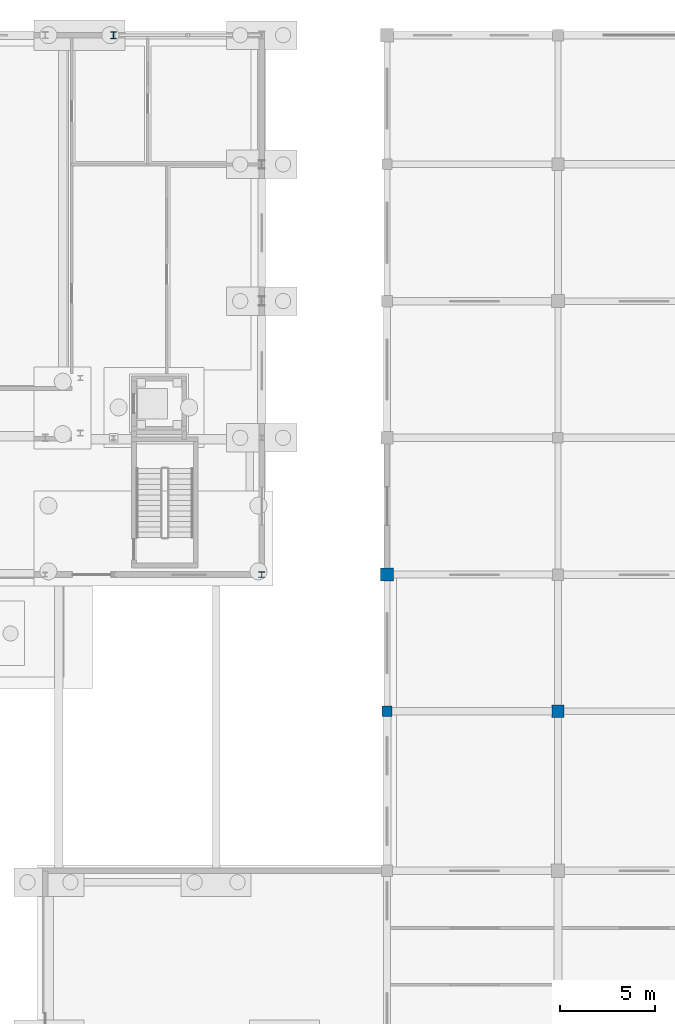
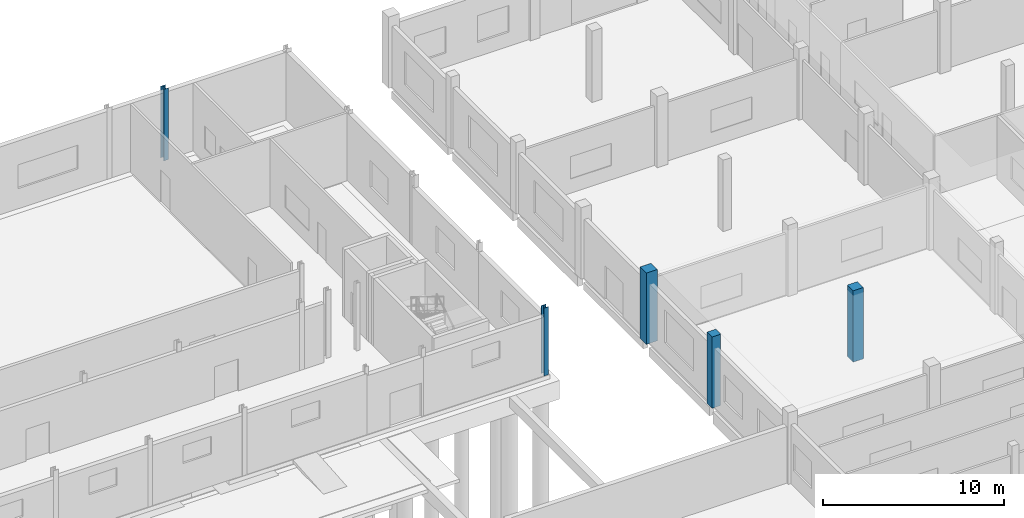
# One storey, part 20 of 91: 5 columns.
"""IFC4 building model written with IfcOpenShell, lengths in metres."""

from ifc_helpers import new_model, si_unit, direction, frame, origin, origin_2d, place, context, subcontext, project, spatial, rectangle, i_section, extrude, material, material_profile, profile_set, type_object, element, save


model = new_model("IFC4")

# Units and contexts
model_context = context("Model", 3, precision=1e-05, world=origin(), true_north=direction((0.0, 1.0)))
body_context = subcontext(model_context, "Body", "Model", "MODEL_VIEW")
ifc_project = project(units=[si_unit("LENGTHUNIT", "METRE"), si_unit("AREAUNIT", "SQUARE_METRE"), si_unit("VOLUMEUNIT", "CUBIC_METRE"), si_unit("PLANEANGLEUNIT", "RADIAN"), si_unit("MASSUNIT", "GRAM", prefix="KILO")], contexts=[model_context])

# Site, building, storey
site_placement = place(None, origin())
site = spatial("IfcSite", under=ifc_project, at=site_placement, CompositionType="ELEMENT")
building_placement = place(site_placement, origin())
building = spatial("IfcBuilding", under=site, at=building_placement, Name="Vinh Khe Railworks Police Headquarters", CompositionType="ELEMENT")
storey_placement = place(building_placement, origin())
storey = spatial("IfcBuildingStorey", under=building, at=storey_placement, Name="L00", CompositionType="ELEMENT", Elevation=0.0)

# Columns
ifc_material_1 = material(Name="Concrete C40/50 (B40)", Category="concrete")
ifc_material_profile_1 = material_profile(ifc_material_1, rectangle(XDim=0.550048828125, YDim=0.550048828125, at=origin_2d()), Name="RC 550x550")
ifc_profile_set_1 = profile_set([ifc_material_profile_1], Name="Concrete C40/50 (B40)")
column_type_1 = type_object("IfcColumnType", Name="RC Column RC 550x550", PredefinedType="COLUMN", material=ifc_profile_set_1)
column_1_placement = place(storey_placement, frame((78.0, 130.800048828125, 0.0), z_axis=(0.0, 0.0, 1.0), x_axis=(1.0, 0.0, 0.0)))
element("IfcColumn", 1, at=column_1_placement, inside=storey, type_object=column_type_1, Name="Column COL-L00-CC-06-1171", PredefinedType="COLUMN", context=body_context, shape_type="SweptSolid", body=[
    extrude(rectangle(XDim=0.550048828125, YDim=0.550048828125, at=origin_2d()), origin(), (0.0, 0.0, 1.0), 4.800048828125),
])
ifc_material_profile_2 = material_profile(ifc_material_1, rectangle(XDim=0.64990234375, YDim=0.64990234375, at=origin_2d()), Name="RC 650x650")
ifc_profile_set_2 = profile_set([ifc_material_profile_2], Name="Concrete C40/50 (B40)")
column_type_2 = type_object("IfcColumnType", Name="RC Column RC 650x650", PredefinedType="COLUMN", material=ifc_profile_set_2)
column_2_placement = place(storey_placement, frame((87.0, 130.800048828125, 0.0), z_axis=(0.0, 0.0, 1.0), x_axis=(1.0, 0.0, 0.0)))
element("IfcColumn", 2, at=column_2_placement, inside=storey, type_object=column_type_2, Name="Column COL-L00-CC-04-1232", PredefinedType="COLUMN", context=body_context, shape_type="SweptSolid", body=[
    extrude(rectangle(XDim=0.64990234375, YDim=0.64990234375, at=origin_2d()), origin(), (0.0, 0.0, 1.0), 4.800048828125),
])
ifc_material_profile_3 = material_profile(ifc_material_1, rectangle(XDim=0.699951171875, YDim=0.699951171875, at=origin_2d()), Name="RC 700x700")
ifc_profile_set_3 = profile_set([ifc_material_profile_3], Name="Concrete C40/50 (B40)")
column_type_3 = type_object("IfcColumnType", Name="RC Column RC 700x700", PredefinedType="COLUMN", material=ifc_profile_set_3)
column_3_placement = place(storey_placement, frame((78.0, 138.0, 0.0), z_axis=(0.0, 0.0, 1.0), x_axis=(1.0, 0.0, 0.0)))
element("IfcColumn", 3, at=column_3_placement, inside=storey, type_object=column_type_3, Name="Column COL-L00-CC-03-1178", PredefinedType="COLUMN", context=body_context, shape_type="SweptSolid", body=[
    extrude(rectangle(XDim=0.699951171875, YDim=0.699951171875, at=origin_2d()), origin(), (0.0, 0.0, 1.0), 4.800048828125),
])
ifc_material_2 = material(Name="Steel S355JR", Category="steel")
ifc_material_profile_4 = material_profile(ifc_material_2, i_section(OverallWidth=0.300048828125, OverallDepth=0.300048828125, WebThickness=0.010986328125, FlangeThickness=0.01904296875, FilletRadius=0.027099609375, at=origin_2d()), Name="HEB 300")
ifc_profile_set_4 = profile_set([ifc_material_profile_4], Name="Steel S355JR")
column_type_4 = type_object("IfcColumnType", Name="Steel Column HEB 300", PredefinedType="COLUMN", material=ifc_profile_set_4)
column_4_placement = place(storey_placement, frame((71.39990234375, 138.0, 0.0), z_axis=(0.0, 0.0, 1.0), x_axis=(1.0, 0.0, 0.0)))
element("IfcColumn", 4, at=column_4_placement, inside=storey, type_object=column_type_4, Name="Column COL-L00-SC-11-1141", PredefinedType="COLUMN", context=body_context, shape_type="SweptSolid", body=[
    extrude(i_section(OverallWidth=0.300048828125, OverallDepth=0.300048828125, WebThickness=0.010986328125, FlangeThickness=0.01904296875, FilletRadius=0.027099609375, at=origin_2d()), origin(), (0.0, 0.0, 1.0), 4.56005859375),
])
ifc_material_profile_5 = material_profile(ifc_material_2, i_section(OverallWidth=0.300048828125, OverallDepth=0.360107421875, WebThickness=0.012451171875, FlangeThickness=0.0224609375, FilletRadius=0.027099609375, at=origin_2d()), Name="HEB 360")
ifc_profile_set_5 = profile_set([ifc_material_profile_5], Name="Steel S355JR")
column_type_5 = type_object("IfcColumnType", Name="Steel Column HEB 360", PredefinedType="COLUMN", material=ifc_profile_set_5)
column_5_placement = place(storey_placement, frame((63.60009765625, 166.39990234375, 0.0), z_axis=(0.0, 0.0, 1.0), x_axis=(1.0, 0.0, 0.0)))
element("IfcColumn", 5, at=column_5_placement, inside=storey, type_object=column_type_5, Name="Column COL-L00-SC-09-1135", PredefinedType="COLUMN", context=body_context, shape_type="SweptSolid", body=[
    extrude(i_section(OverallWidth=0.300048828125, OverallDepth=0.360107421875, WebThickness=0.012451171875, FlangeThickness=0.0224609375, FilletRadius=0.027099609375, at=origin_2d()), origin(), (0.0, 0.0, 1.0), 4.800048828125),
])

save(model, "model.ifc")
